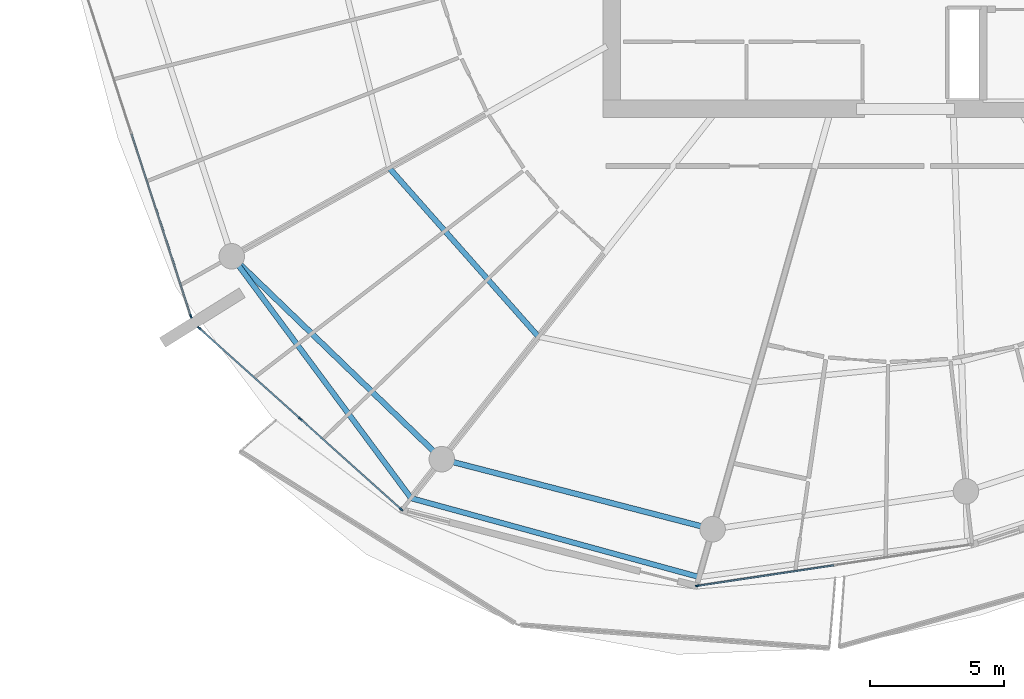
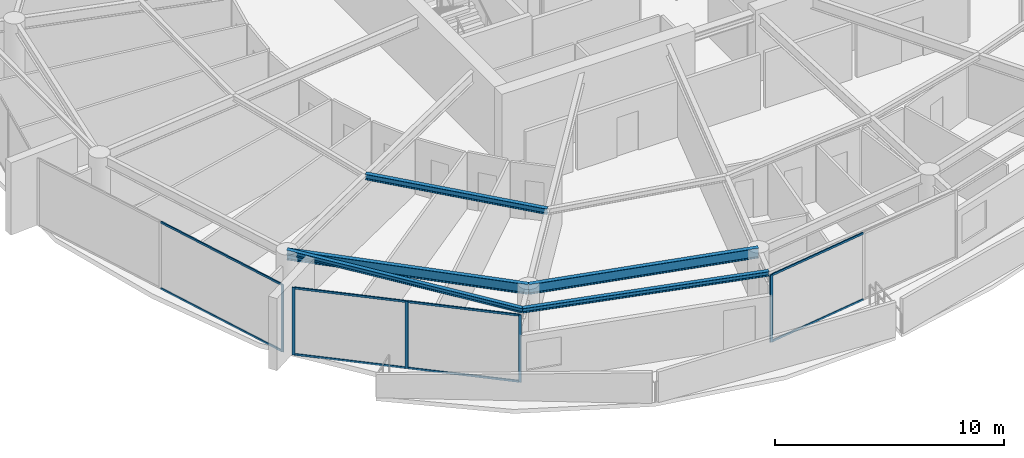
# One storey, part 6 of 30: 13 members, 5 beams, 3 elements without a shape of their own.
"""IFC4 building model written with IfcOpenShell, lengths in metres."""

from ifc_helpers import new_model, si_unit, direction, frame, origin, origin_2d, place, context, subcontext, project, spatial, rectangle, i_section, extrude, material, layer, layer_set, material_profile, profile_set, type_object, element, aggregate, save


model = new_model("IFC4")

# Units and contexts
model_context = context("Model", 3, precision=1e-05, world=origin(), true_north=direction((0.0, 1.0)))
body_context = subcontext(model_context, "Body", "Model", "MODEL_VIEW")
ifc_project = project(units=[si_unit("LENGTHUNIT", "METRE"), si_unit("AREAUNIT", "SQUARE_METRE"), si_unit("VOLUMEUNIT", "CUBIC_METRE"), si_unit("PLANEANGLEUNIT", "RADIAN"), si_unit("MASSUNIT", "GRAM", prefix="KILO")], contexts=[model_context])

# Site, building, storey
site_placement = place(None, origin())
site = spatial("IfcSite", under=ifc_project, at=site_placement, CompositionType="ELEMENT")
building_placement = place(site_placement, origin())
building = spatial("IfcBuilding", under=site, at=building_placement, Name="Kazma Halo Residences", CompositionType="ELEMENT")
storey_placement = place(building_placement, frame((0.0, 0.0, 267.5)))
storey = spatial("IfcBuildingStorey", under=building, at=storey_placement, Name="L67", CompositionType="ELEMENT", Elevation=267.5)

# Beams
ifc_material_1 = material(Name="Steel S355", Category="steel")
ifc_material_profile_1 = material_profile(ifc_material_1, i_section(OverallWidth=0.201904296875, OverallDepth=0.2470703125, WebThickness=0.00732421875, FlangeThickness=0.010986328125, FilletRadius=0.011962890625, at=origin_2d()), Name="W250x49.1")
ifc_profile_set_1 = profile_set([ifc_material_profile_1], Name="Steel S355")
beam_type_1 = type_object("IfcBeamType", Name="BM-BAL-CANT", PredefinedType="BEAM", material=ifc_profile_set_1)
beam_1_placement = place(storey_placement, frame((23.32958984375, 28.18408203125, 3.466552734375), z_axis=(0.595556062515, -0.803313747176, 0.0), x_axis=(0.803313747176, 0.595556062515, 0.0)))
element("IfcBeam", 1, at=beam_1_placement, inside=storey, type_object=beam_type_1, Name="L67 wave-balcony lead tie beam 09", PredefinedType="BEAM", context=body_context, shape_type="SweptSolid", body=[
    extrude(i_section(OverallWidth=0.201904296875, OverallDepth=0.2470703125, WebThickness=0.00732421875, FlangeThickness=0.010986328125, FilletRadius=0.011962890625, at=origin_2d()), origin(), (0.0, 0.0, 1.0), 11.213134765625),
])
beam_2_placement = place(storey_placement, frame((30.007568359375, 19.176513671875, 3.466552734375), z_axis=(0.964514665976, -0.264029277006, 0.0), x_axis=(0.264029277006, 0.964514665976, 0.0)))
element("IfcBeam", 2, at=beam_2_placement, inside=storey, type_object=beam_type_1, Name="L67 wave-balcony tie beam 10", PredefinedType="BEAM", context=body_context, shape_type="SweptSolid", body=[
    extrude(i_section(OverallWidth=0.201904296875, OverallDepth=0.2470703125, WebThickness=0.00732421875, FlangeThickness=0.010986328125, FilletRadius=0.011962890625, at=origin_2d()), origin(), (0.0, 0.0, 1.0), 11.1220703125),
])
ifc_material_profile_2 = material_profile(ifc_material_1, i_section(OverallWidth=0.202880859375, OverallDepth=0.302978515625, WebThickness=0.007568359375, FlangeThickness=0.01318359375, FilletRadius=0.013916015625, at=origin_2d()), Name="W310x60")
ifc_profile_set_2 = profile_set([ifc_material_profile_2], Name="Steel S355")
beam_type_2 = type_object("IfcBeamType", Name="BM-SEC-W310A", PredefinedType="JOIST", material=ifc_profile_set_2)
beam_3_placement = place(storey_placement, frame((29.197265625, 31.469970703125, 3.4384765625), z_axis=(0.662539311942, -0.749027142453, 0.0), x_axis=(0.749027142453, 0.662539311942, 0.0)))
element("IfcBeam", 3, at=beam_3_placement, inside=storey, type_object=beam_type_2, Name="L67 circumferential floor joist 09", PredefinedType="JOIST", context=body_context, shape_type="SweptSolid", body=[
    extrude(i_section(OverallWidth=0.202880859375, OverallDepth=0.302978515625, WebThickness=0.007568359375, FlangeThickness=0.01318359375, FilletRadius=0.013916015625, at=origin_2d()), origin(), (0.0, 0.0, 1.0), 8.381103515625),
])
ifc_material_profile_3 = material_profile(ifc_material_1, i_section(OverallWidth=0.208984375, OverallDepth=0.532958984375, WebThickness=0.01025390625, FlangeThickness=0.015625, FilletRadius=0.01611328125, at=origin_2d()), Name="W530x92")
ifc_profile_set_3 = profile_set([ifc_material_profile_3], Name="Steel S355")
beam_type_3 = type_object("IfcBeamType", Name="BM-SPN-W530", PredefinedType="BEAM", material=ifc_profile_set_3)
beam_4_placement = place(storey_placement, frame((23.32958984375, 28.18408203125, 3.323486328125), z_axis=(0.719345757929, -0.694652201141, 0.0), x_axis=(0.694652201141, 0.719345757929, 0.0)))
element("IfcBeam", 4, at=beam_4_placement, inside=storey, type_object=beam_type_3, Name="L67 perimeter ring beam 09", PredefinedType="BEAM", context=body_context, shape_type="SweptSolid", body=[
    extrude(i_section(OverallWidth=0.208984375, OverallDepth=0.532958984375, WebThickness=0.01025390625, FlangeThickness=0.015625, FilletRadius=0.01611328125, at=origin_2d()), origin(), (0.0, 0.0, 1.0), 10.87548828125),
])
beam_5_placement = place(storey_placement, frame((31.15283203125, 20.62939453125, 3.323486328125), z_axis=(0.968126042852, -0.250463500639, 0.0), x_axis=(0.250463500639, 0.968126042852, 0.0)))
element("IfcBeam", 5, at=beam_5_placement, inside=storey, type_object=beam_type_3, Name="L67 perimeter ring beam 10", PredefinedType="BEAM", context=body_context, shape_type="SweptSolid", body=[
    extrude(i_section(OverallWidth=0.208984375, OverallDepth=0.532958984375, WebThickness=0.01025390625, FlangeThickness=0.015625, FilletRadius=0.01611328125, at=origin_2d()), origin(), (0.0, 0.0, 1.0), 10.416259765625),
])

# Curtain wall, member
ifc_material_2 = material(Name="Aluminium AW-6063 T6 and Triple-Silver Low-E Glass", Category="aluminium")
ifc_layer = layer(ifc_material_2, 0.139892578125)
ifc_layer_set = layer_set([ifc_layer], Name="Aluminium AW-6063 T6 and Triple-Silver Low-E Glass")
curtain_wall_type = type_object("IfcCurtainWallType", Name="CW-SYS-5", PredefinedType="NOTDEFINED", material=ifc_layer_set)
curtain_wall_1_placement = place(storey_placement, origin())
curtain_wall_1 = element("IfcCurtainWall", 6, at=curtain_wall_1_placement, inside=storey, type_object=curtain_wall_type, Name="L67 unitised curtain wall B08", PredefinedType="NOTDEFINED")
ifc_material_3 = material(Name="Aluminium AW-6063 T6", Category="aluminium")
ifc_material_profile_4 = material_profile(ifc_material_3, rectangle(XDim=0.06005859375, YDim=0.139892578125, at=origin_2d()), Name="CWM-60x140")
ifc_profile_set_4 = profile_set([ifc_material_profile_4], Name="Aluminium AW-6063 T6")
member_type_1 = type_object("IfcMemberType", Name="CW-SYS-5-MUL", PredefinedType="MULLION", material=ifc_profile_set_4)
member_1_placement = place(storey_placement, frame((21.8076171875, 25.9521484375, 0.0), z_axis=(0.0, 0.0, 1.0), x_axis=(0.951058464359, 0.309010998786, 0.0)))
member_1 = element("IfcMember", 7, at=member_1_placement, type_object=member_type_1, Name="CWS-5 mullion 3", PredefinedType="MULLION", context=body_context, shape_type="SweptSolid", body=[
    extrude(rectangle(XDim=0.06005859375, YDim=0.139892578125, at=origin_2d()), origin(), (0.0, 0.0, 1.0), 3.590087890625),
])

# Curtain wall, members
curtain_wall_2_placement = place(storey_placement, origin())
curtain_wall_2 = element("IfcCurtainWall", 8, at=curtain_wall_2_placement, inside=storey, type_object=curtain_wall_type, Name="L67 unitised curtain wall B09", PredefinedType="NOTDEFINED")
member_2_placement = place(storey_placement, frame((22.11669921875, 25.508056640625, 0.0), z_axis=(0.0, 0.0, 1.0), x_axis=(0.667804826958, 0.744336424671, 0.0)))
member_2 = element("IfcMember", 9, at=member_2_placement, type_object=member_type_1, Name="CWS-5 mullion 1", PredefinedType="MULLION", context=body_context, shape_type="SweptSolid", body=[
    extrude(rectangle(XDim=0.06005859375, YDim=0.139892578125, at=origin_2d()), origin(), (0.0, 0.0, 1.0), 3.590087890625),
])
member_3_placement = place(storey_placement, frame((25.878173828125, 22.13330078125, 0.0), z_axis=(0.0, 0.0, 1.0), x_axis=(0.667804826958, 0.744336424671, 0.0)))
member_3 = element("IfcMember", 10, at=member_3_placement, type_object=member_type_1, Name="CWS-5 mullion 2", PredefinedType="MULLION", context=body_context, shape_type="SweptSolid", body=[
    extrude(rectangle(XDim=0.06005859375, YDim=0.139892578125, at=origin_2d()), origin(), (0.0, 0.0, 1.0), 3.590087890625),
])
member_4_placement = place(storey_placement, frame((29.6396484375, 18.758544921875, 0.0), z_axis=(0.0, 0.0, 1.0), x_axis=(0.667804826958, 0.744336424671, 0.0)))
member_4 = element("IfcMember", 11, at=member_4_placement, type_object=member_type_1, Name="CWS-5 mullion 3", PredefinedType="MULLION", context=body_context, shape_type="SweptSolid", body=[
    extrude(rectangle(XDim=0.06005859375, YDim=0.139892578125, at=origin_2d()), origin(), (0.0, 0.0, 1.0), 3.590087890625),
])

# Curtain wall, member
curtain_wall_3_placement = place(storey_placement, origin())
curtain_wall_3 = element("IfcCurtainWall", 12, at=curtain_wall_3_placement, inside=storey, type_object=curtain_wall_type, Name="L67 unitised curtain wall B11", PredefinedType="NOTDEFINED")
member_5_placement = place(storey_placement, frame((40.671142578125, 15.912841796875, 0.0), z_axis=(0.0, 0.0, 1.0), x_axis=(-0.148697080374, 0.988882792998, 0.0)))
member_5 = element("IfcMember", 13, at=member_5_placement, type_object=member_type_1, Name="CWS-5 mullion 1", PredefinedType="MULLION", context=body_context, shape_type="SweptSolid", body=[
    extrude(rectangle(XDim=0.06005859375, YDim=0.139892578125, at=origin_2d()), origin(), (0.0, 0.0, 1.0), 3.590087890625),
])

# Member
ifc_material_profile_5 = material_profile(ifc_material_3, rectangle(XDim=0.06005859375, YDim=0.10498046875, at=origin_2d()), Name="CWT-60x105")
ifc_profile_set_5 = profile_set([ifc_material_profile_5], Name="Aluminium AW-6063 T6")
member_type_2 = type_object("IfcMemberType", Name="CW-SYS-5-TRN", PredefinedType="USERDEFINED", material=ifc_profile_set_5)
member_6_placement = place(storey_placement, frame((19.6015625, 32.7412109375, 0.030029296875), z_axis=(0.309027052142, -0.95105324827, 0.0), x_axis=(0.95105324827, 0.309027052142, 0.0)))
member_6 = element("IfcMember", 14, at=member_6_placement, type_object=member_type_2, Name="CWS-5 transom 2.1", ObjectType="TRANSOM", PredefinedType="USERDEFINED", context=body_context, shape_type="SweptSolid", body=[
    extrude(rectangle(XDim=0.06005859375, YDim=0.10498046875, at=origin_2d()), origin(), (0.0, 0.0, 1.0), 7.108642578125),
])

member_7_placement = place(storey_placement, frame((19.6015625, 32.7412109375, 3.56005859375), z_axis=(0.309027052142, -0.95105324827, 0.0), x_axis=(0.95105324827, 0.309027052142, 0.0)))
member_7 = element("IfcMember", 15, at=member_7_placement, type_object=member_type_2, Name="CWS-5 transom 2.2", ObjectType="TRANSOM", PredefinedType="USERDEFINED", context=body_context, shape_type="SweptSolid", body=[
    extrude(rectangle(XDim=0.06005859375, YDim=0.10498046875, at=origin_2d()), origin(), (0.0, 0.0, 1.0), 7.108642578125),
])

aggregate(curtain_wall_1, [member_1, member_6, member_7])

member_8_placement = place(storey_placement, frame((22.138916015625, 25.488037109375, 0.030029296875), z_axis=(0.744328897483, -0.667813216679, 0.0), x_axis=(0.667813216679, 0.744328897483, 0.0)))
member_8 = element("IfcMember", 16, at=member_8_placement, type_object=member_type_2, Name="CWS-5 transom 1.1", ObjectType="TRANSOM", PredefinedType="USERDEFINED", context=body_context, shape_type="SweptSolid", body=[
    extrude(rectangle(XDim=0.06005859375, YDim=0.10498046875, at=origin_2d()), origin(), (0.0, 0.0, 1.0), 4.993408203125),
])

member_9_placement = place(storey_placement, frame((22.138916015625, 25.488037109375, 3.56005859375), z_axis=(0.744328897483, -0.667813216679, 0.0), x_axis=(0.667813216679, 0.744328897483, 0.0)))
member_9 = element("IfcMember", 17, at=member_9_placement, type_object=member_type_2, Name="CWS-5 transom 1.2", ObjectType="TRANSOM", PredefinedType="USERDEFINED", context=body_context, shape_type="SweptSolid", body=[
    extrude(rectangle(XDim=0.06005859375, YDim=0.10498046875, at=origin_2d()), origin(), (0.0, 0.0, 1.0), 4.993408203125),
])

member_10_placement = place(storey_placement, frame((25.900390625, 22.11328125, 0.030029296875), z_axis=(0.744350700793, -0.667788914425, 0.0), x_axis=(0.667788914425, 0.744350700793, 0.0)))
member_10 = element("IfcMember", 18, at=member_10_placement, type_object=member_type_2, Name="CWS-5 transom 2.1", ObjectType="TRANSOM", PredefinedType="USERDEFINED", context=body_context, shape_type="SweptSolid", body=[
    extrude(rectangle(XDim=0.06005859375, YDim=0.10498046875, at=origin_2d()), origin(), (0.0, 0.0, 1.0), 4.99365234375),
])

member_11_placement = place(storey_placement, frame((25.900390625, 22.11328125, 3.56005859375), z_axis=(0.744350700793, -0.667788914425, 0.0), x_axis=(0.667788914425, 0.744350700793, 0.0)))
member_11 = element("IfcMember", 19, at=member_11_placement, type_object=member_type_2, Name="CWS-5 transom 2.2", ObjectType="TRANSOM", PredefinedType="USERDEFINED", context=body_context, shape_type="SweptSolid", body=[
    extrude(rectangle(XDim=0.06005859375, YDim=0.10498046875, at=origin_2d()), origin(), (0.0, 0.0, 1.0), 4.99365234375),
])

aggregate(curtain_wall_2, [member_2, member_3, member_4, member_8, member_9, member_10, member_11])

member_12_placement = place(storey_placement, frame((40.70068359375, 15.917236328125, 0.030029296875), z_axis=(0.988883972013, 0.148689239341, 0.0), x_axis=(-0.148689239341, 0.988883972013, 0.0)))
member_12 = element("IfcMember", 20, at=member_12_placement, type_object=member_type_2, Name="CWS-5 transom 1.1", ObjectType="TRANSOM", PredefinedType="USERDEFINED", context=body_context, shape_type="SweptSolid", body=[
    extrude(rectangle(XDim=0.06005859375, YDim=0.10498046875, at=origin_2d()), origin(), (0.0, 0.0, 1.0), 5.099853515625),
])

member_13_placement = place(storey_placement, frame((40.70068359375, 15.917236328125, 3.56005859375), z_axis=(0.988883972013, 0.148689239341, 0.0), x_axis=(-0.148689239341, 0.988883972013, 0.0)))
member_13 = element("IfcMember", 21, at=member_13_placement, type_object=member_type_2, Name="CWS-5 transom 1.2", ObjectType="TRANSOM", PredefinedType="USERDEFINED", context=body_context, shape_type="SweptSolid", body=[
    extrude(rectangle(XDim=0.06005859375, YDim=0.10498046875, at=origin_2d()), origin(), (0.0, 0.0, 1.0), 5.099853515625),
])

aggregate(curtain_wall_3, [member_5, member_12, member_13])

save(model, "model.ifc")
